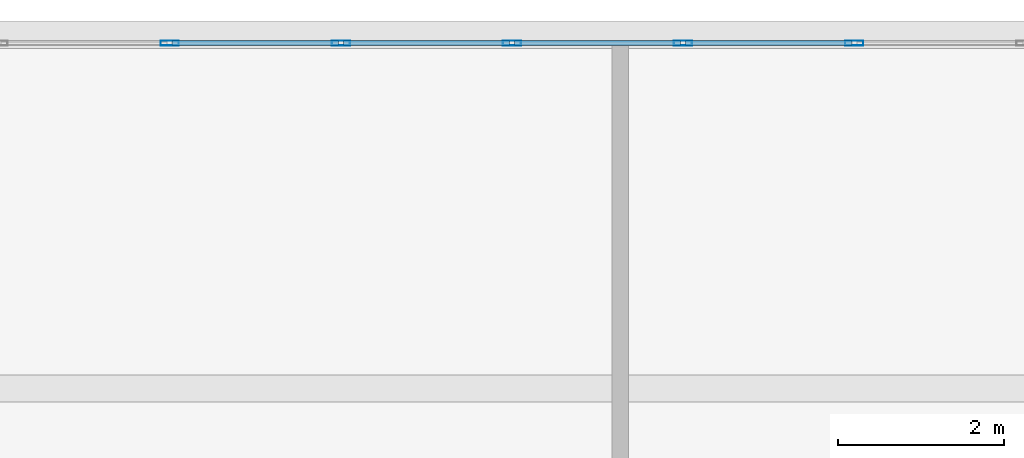
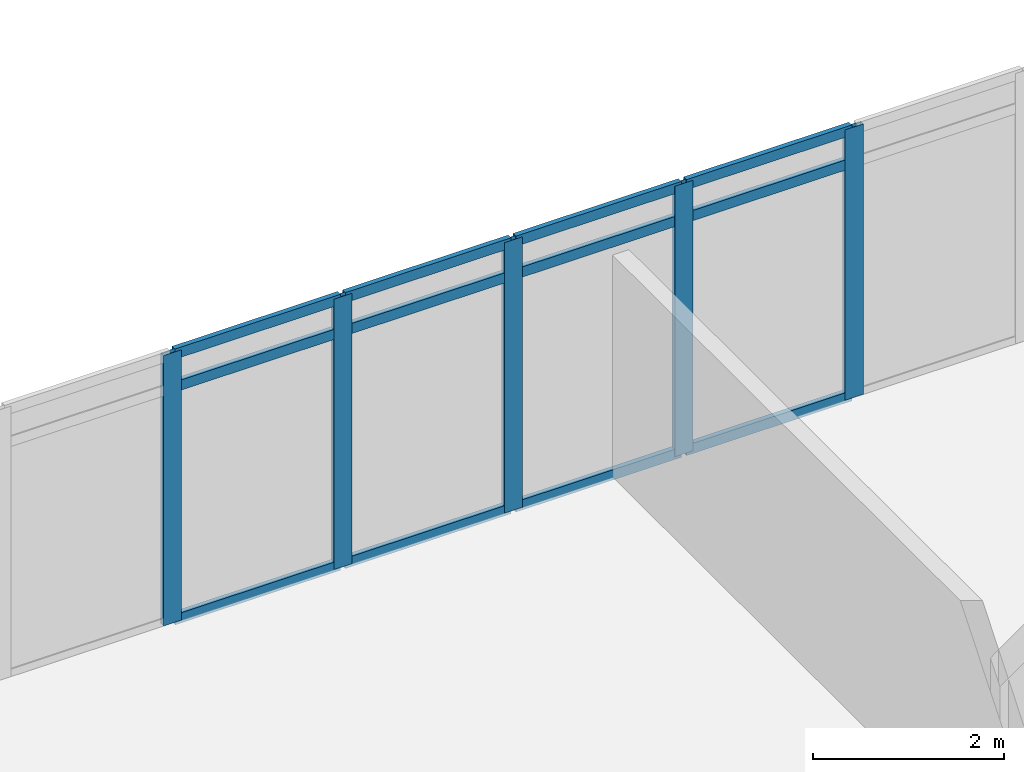
# One storey, part 22 of 37: 17 members, 1 element without a shape of its own.
"""IFC4 building model written with IfcOpenShell, lengths in metres."""

from ifc_helpers import new_model, si_unit, direction, frame, origin, origin_2d, place, context, subcontext, project, spatial, hollow_rectangle, extrude, material, material_profile, profile_set, type_object, element, aggregate, save


model = new_model("IFC4")

# Units and contexts
model_context = context("Model", 3, precision=1e-05, world=origin(), true_north=direction((0.0, 1.0)))
body_context = subcontext(model_context, "Body", "Model", "MODEL_VIEW")
ifc_project = project(units=[si_unit("LENGTHUNIT", "METRE"), si_unit("AREAUNIT", "SQUARE_METRE"), si_unit("VOLUMEUNIT", "CUBIC_METRE"), si_unit("PLANEANGLEUNIT", "RADIAN"), si_unit("MASSUNIT", "GRAM", prefix="KILO")], contexts=[model_context])

# Site, building, storey
site_placement = place(None, origin())
site = spatial("IfcSite", under=ifc_project, at=site_placement, CompositionType="ELEMENT")
building_placement = place(site_placement, origin())
building = spatial("IfcBuilding", under=site, at=building_placement, Name="Ostrander Bayou Hotel Tower", CompositionType="ELEMENT")
storey_placement = place(building_placement, frame((0.0, 0.0, 93.0)))
storey = spatial("IfcBuildingStorey", under=building, at=storey_placement, Name="L23", CompositionType="ELEMENT", Elevation=93.0)

# Curtain wall, members
ifc_material_1 = material(Name="Aluminium and clear glass", Category="aluminium")
curtain_wall_type = type_object("IfcCurtainWallType", Name="CW-BAR glazed wall", PredefinedType="NOTDEFINED", material=ifc_material_1)
curtain_wall_placement = place(storey_placement, origin())
curtain_wall = element("IfcCurtainWall", 1, at=curtain_wall_placement, inside=storey, type_object=curtain_wall_type, Name="CW-BAR L23:SB2N:T", PredefinedType="NOTDEFINED")
ifc_material_2 = material(Name="Aluminium", Category="aluminium")
ifc_material_profile_1 = material_profile(ifc_material_2, hollow_rectangle(XDim=0.06005859375, YDim=0.219970703125, WallThickness=0.00390625, at=origin_2d()))
ifc_profile_set_1 = profile_set([ifc_material_profile_1], Name="Aluminium")
member_type_1 = type_object("IfcMemberType", Name="CW-BR mullion 60 x 220 mm", PredefinedType="MULLION", material=ifc_profile_set_1)
member_1_placement = place(storey_placement, frame((1.0283203125, 31.4453125, 0.0), z_axis=(0.0, 0.0, 1.0), x_axis=(0.0, 1.0, 0.0)))
member_1 = element("IfcMember", 2, at=member_1_placement, type_object=member_type_1, Name="CW-BAR mullion 8", PredefinedType="MULLION", context=body_context, shape_type="SweptSolid", body=[
    extrude(hollow_rectangle(XDim=0.06005859375, YDim=0.219970703125, WallThickness=0.00390625, at=origin_2d()), origin(), (0.0, 0.0, 1.0), 3.449951171875),
])
member_2_placement = place(storey_placement, frame((3.084716796875, 31.4453125, 0.0), z_axis=(0.0, 0.0, 1.0), x_axis=(0.0, 1.0, 0.0)))
member_2 = element("IfcMember", 3, at=member_2_placement, type_object=member_type_1, Name="CW-BAR mullion 9", PredefinedType="MULLION", context=body_context, shape_type="SweptSolid", body=[
    extrude(hollow_rectangle(XDim=0.06005859375, YDim=0.219970703125, WallThickness=0.00390625, at=origin_2d()), origin(), (0.0, 0.0, 1.0), 3.449951171875),
])
member_3_placement = place(storey_placement, frame((5.14111328125, 31.4453125, 0.0), z_axis=(0.0, 0.0, 1.0), x_axis=(0.0, 1.0, 0.0)))
member_3 = element("IfcMember", 4, at=member_3_placement, type_object=member_type_1, Name="CW-BAR mullion 10", PredefinedType="MULLION", context=body_context, shape_type="SweptSolid", body=[
    extrude(hollow_rectangle(XDim=0.06005859375, YDim=0.219970703125, WallThickness=0.00390625, at=origin_2d()), origin(), (0.0, 0.0, 1.0), 3.449951171875),
])
member_4_placement = place(storey_placement, frame((7.19775390625, 31.4453125, 0.0), z_axis=(0.0, 0.0, 1.0), x_axis=(0.0, 1.0, 0.0)))
member_4 = element("IfcMember", 5, at=member_4_placement, type_object=member_type_1, Name="CW-BAR mullion 11", PredefinedType="MULLION", context=body_context, shape_type="SweptSolid", body=[
    extrude(hollow_rectangle(XDim=0.06005859375, YDim=0.219970703125, WallThickness=0.00390625, at=origin_2d()), origin(), (0.0, 0.0, 1.0), 3.449951171875),
])
member_5_placement = place(storey_placement, frame((9.254150390625, 31.4453125, 0.0), z_axis=(0.0, 0.0, 1.0), x_axis=(0.0, 1.0, 0.0)))
member_5 = element("IfcMember", 6, at=member_5_placement, type_object=member_type_1, Name="CW-BAR mullion 12", PredefinedType="MULLION", context=body_context, shape_type="SweptSolid", body=[
    extrude(hollow_rectangle(XDim=0.06005859375, YDim=0.219970703125, WallThickness=0.00390625, at=origin_2d()), origin(), (0.0, 0.0, 1.0), 3.449951171875),
])
ifc_material_3 = material(Name="Aluminium", Category="aluminium")
ifc_material_profile_2 = material_profile(ifc_material_3, hollow_rectangle(XDim=0.06005859375, YDim=0.1298828125, WallThickness=0.00390625, at=origin_2d()))
ifc_profile_set_2 = profile_set([ifc_material_profile_2], Name="Aluminium")
member_type_2 = type_object("IfcMemberType", Name="CW-BR transom 60 x 130 mm", PredefinedType="USERDEFINED", material=ifc_profile_set_2)
member_6_placement = place(storey_placement, frame((1.058349609375, 31.4453125, 0.030029296875), z_axis=(1.0, 0.0, 0.0), x_axis=(0.0, 1.0, 0.0)))
member_6 = element("IfcMember", 7, at=member_6_placement, type_object=member_type_2, Name="CW-BAR transom 8.1", ObjectType="TRANSOM", PredefinedType="USERDEFINED", context=body_context, shape_type="SweptSolid", body=[
    extrude(hollow_rectangle(XDim=0.06005859375, YDim=0.1298828125, WallThickness=0.00390625, at=origin_2d()), origin(), (0.0, 0.0, 1.0), 1.996337890625),
])
member_7_placement = place(storey_placement, frame((1.058349609375, 31.4453125, 3.0), z_axis=(1.0, 0.0, 0.0), x_axis=(0.0, 1.0, 0.0)))
member_7 = element("IfcMember", 8, at=member_7_placement, type_object=member_type_2, Name="CW-BAR transom 8.2", ObjectType="TRANSOM", PredefinedType="USERDEFINED", context=body_context, shape_type="SweptSolid", body=[
    extrude(hollow_rectangle(XDim=0.06005859375, YDim=0.1298828125, WallThickness=0.00390625, at=origin_2d()), origin(), (0.0, 0.0, 1.0), 1.996337890625),
])
member_8_placement = place(storey_placement, frame((1.058349609375, 31.4453125, 3.419921875), z_axis=(1.0, 0.0, 0.0), x_axis=(0.0, 1.0, 0.0)))
member_8 = element("IfcMember", 9, at=member_8_placement, type_object=member_type_2, Name="CW-BAR transom 8.3", ObjectType="TRANSOM", PredefinedType="USERDEFINED", context=body_context, shape_type="SweptSolid", body=[
    extrude(hollow_rectangle(XDim=0.06005859375, YDim=0.1298828125, WallThickness=0.00390625, at=origin_2d()), origin(), (0.0, 0.0, 1.0), 1.996337890625),
])
member_9_placement = place(storey_placement, frame((3.11474609375, 31.4453125, 0.030029296875), z_axis=(1.0, 0.0, 0.0), x_axis=(0.0, 1.0, 0.0)))
member_9 = element("IfcMember", 10, at=member_9_placement, type_object=member_type_2, Name="CW-BAR transom 9.1", ObjectType="TRANSOM", PredefinedType="USERDEFINED", context=body_context, shape_type="SweptSolid", body=[
    extrude(hollow_rectangle(XDim=0.06005859375, YDim=0.1298828125, WallThickness=0.00390625, at=origin_2d()), origin(), (0.0, 0.0, 1.0), 1.99658203125),
])
member_10_placement = place(storey_placement, frame((3.11474609375, 31.4453125, 3.0), z_axis=(1.0, 0.0, 0.0), x_axis=(0.0, 1.0, 0.0)))
member_10 = element("IfcMember", 11, at=member_10_placement, type_object=member_type_2, Name="CW-BAR transom 9.2", ObjectType="TRANSOM", PredefinedType="USERDEFINED", context=body_context, shape_type="SweptSolid", body=[
    extrude(hollow_rectangle(XDim=0.06005859375, YDim=0.1298828125, WallThickness=0.00390625, at=origin_2d()), origin(), (0.0, 0.0, 1.0), 1.99658203125),
])
member_11_placement = place(storey_placement, frame((3.11474609375, 31.4453125, 3.419921875), z_axis=(1.0, 0.0, 0.0), x_axis=(0.0, 1.0, 0.0)))
member_11 = element("IfcMember", 12, at=member_11_placement, type_object=member_type_2, Name="CW-BAR transom 9.3", ObjectType="TRANSOM", PredefinedType="USERDEFINED", context=body_context, shape_type="SweptSolid", body=[
    extrude(hollow_rectangle(XDim=0.06005859375, YDim=0.1298828125, WallThickness=0.00390625, at=origin_2d()), origin(), (0.0, 0.0, 1.0), 1.99658203125),
])
member_12_placement = place(storey_placement, frame((5.171142578125, 31.4453125, 0.030029296875), z_axis=(1.0, 0.0, 0.0), x_axis=(0.0, 1.0, 0.0)))
member_12 = element("IfcMember", 13, at=member_12_placement, type_object=member_type_2, Name="CW-BAR transom 10.1", ObjectType="TRANSOM", PredefinedType="USERDEFINED", context=body_context, shape_type="SweptSolid", body=[
    extrude(hollow_rectangle(XDim=0.06005859375, YDim=0.1298828125, WallThickness=0.00390625, at=origin_2d()), origin(), (0.0, 0.0, 1.0), 1.99658203125),
])
member_13_placement = place(storey_placement, frame((5.171142578125, 31.4453125, 3.0), z_axis=(1.0, 0.0, 0.0), x_axis=(0.0, 1.0, 0.0)))
member_13 = element("IfcMember", 14, at=member_13_placement, type_object=member_type_2, Name="CW-BAR transom 10.2", ObjectType="TRANSOM", PredefinedType="USERDEFINED", context=body_context, shape_type="SweptSolid", body=[
    extrude(hollow_rectangle(XDim=0.06005859375, YDim=0.1298828125, WallThickness=0.00390625, at=origin_2d()), origin(), (0.0, 0.0, 1.0), 1.99658203125),
])
member_14_placement = place(storey_placement, frame((5.171142578125, 31.4453125, 3.419921875), z_axis=(1.0, 0.0, 0.0), x_axis=(0.0, 1.0, 0.0)))
member_14 = element("IfcMember", 15, at=member_14_placement, type_object=member_type_2, Name="CW-BAR transom 10.3", ObjectType="TRANSOM", PredefinedType="USERDEFINED", context=body_context, shape_type="SweptSolid", body=[
    extrude(hollow_rectangle(XDim=0.06005859375, YDim=0.1298828125, WallThickness=0.00390625, at=origin_2d()), origin(), (0.0, 0.0, 1.0), 1.99658203125),
])
member_15_placement = place(storey_placement, frame((7.227783203125, 31.4453125, 0.030029296875), z_axis=(1.0, 0.0, 0.0), x_axis=(0.0, 1.0, 0.0)))
member_15 = element("IfcMember", 16, at=member_15_placement, type_object=member_type_2, Name="CW-BAR transom 11.1", ObjectType="TRANSOM", PredefinedType="USERDEFINED", context=body_context, shape_type="SweptSolid", body=[
    extrude(hollow_rectangle(XDim=0.06005859375, YDim=0.1298828125, WallThickness=0.00390625, at=origin_2d()), origin(), (0.0, 0.0, 1.0), 1.996337890625),
])
member_16_placement = place(storey_placement, frame((7.227783203125, 31.4453125, 3.0), z_axis=(1.0, 0.0, 0.0), x_axis=(0.0, 1.0, 0.0)))
member_16 = element("IfcMember", 17, at=member_16_placement, type_object=member_type_2, Name="CW-BAR transom 11.2", ObjectType="TRANSOM", PredefinedType="USERDEFINED", context=body_context, shape_type="SweptSolid", body=[
    extrude(hollow_rectangle(XDim=0.06005859375, YDim=0.1298828125, WallThickness=0.00390625, at=origin_2d()), origin(), (0.0, 0.0, 1.0), 1.996337890625),
])
member_17_placement = place(storey_placement, frame((7.227783203125, 31.4453125, 3.419921875), z_axis=(1.0, 0.0, 0.0), x_axis=(0.0, 1.0, 0.0)))
member_17 = element("IfcMember", 18, at=member_17_placement, type_object=member_type_2, Name="CW-BAR transom 11.3", ObjectType="TRANSOM", PredefinedType="USERDEFINED", context=body_context, shape_type="SweptSolid", body=[
    extrude(hollow_rectangle(XDim=0.06005859375, YDim=0.1298828125, WallThickness=0.00390625, at=origin_2d()), origin(), (0.0, 0.0, 1.0), 1.996337890625),
])
aggregate(curtain_wall, [member_1, member_2, member_3, member_4, member_5, member_6, member_7, member_8, member_9, member_10, member_11, member_12, member_13, member_14, member_15, member_16, member_17])

save(model, "model.ifc")
